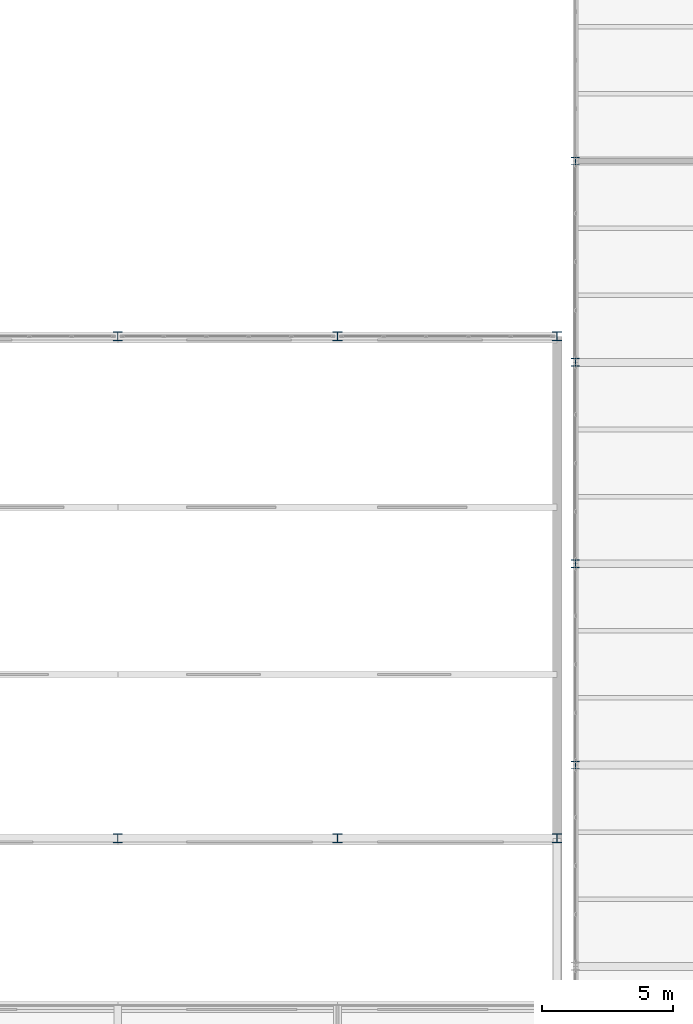
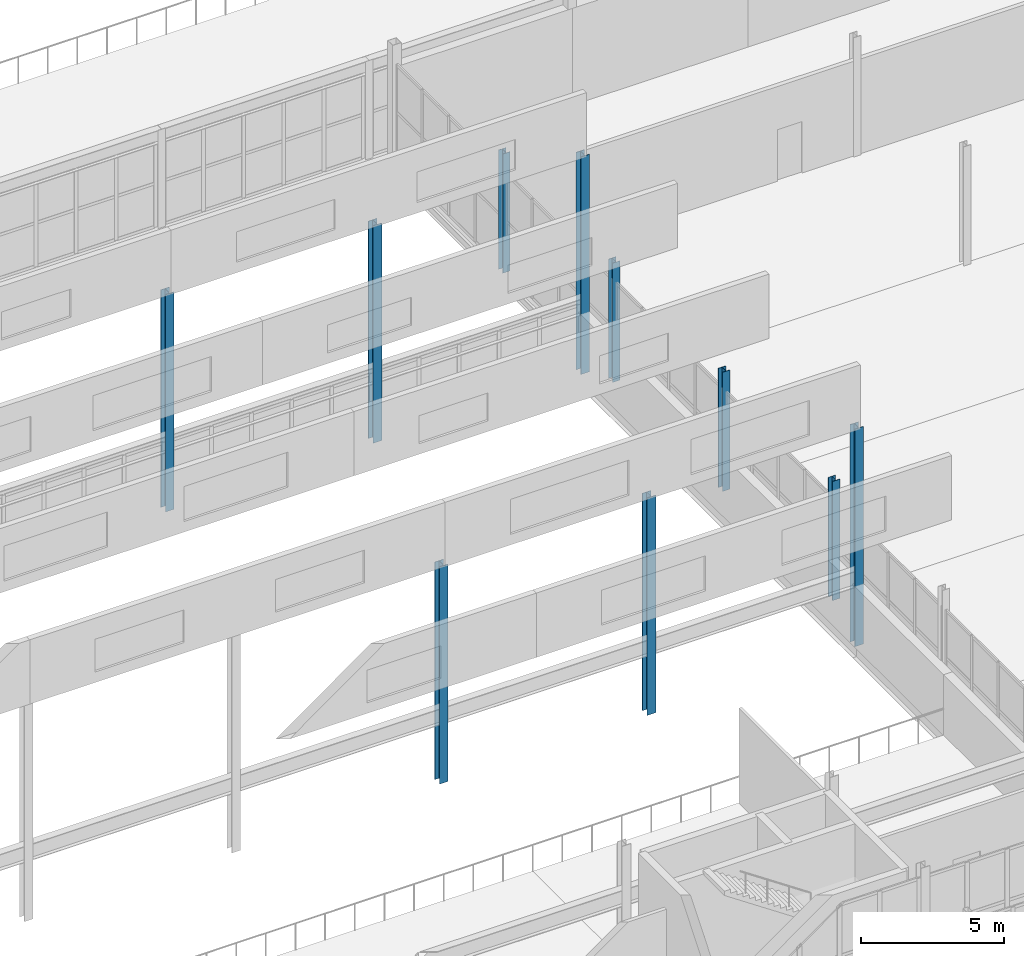
# One storey, part 21 of 218: 10 columns.
"""IFC4 building model written with IfcOpenShell, lengths in metres."""

from ifc_helpers import new_model, si_unit, direction, frame, origin, origin_2d, place, context, subcontext, project, spatial, i_section, extrude, material, material_profile, profile_set, type_object, element, save


model = new_model("IFC4")

# Units and contexts
model_context = context("Model", 3, precision=1e-05, world=origin(), true_north=direction((0.0, 1.0)))
body_context = subcontext(model_context, "Body", "Model", "MODEL_VIEW")
ifc_project = project(units=[si_unit("LENGTHUNIT", "METRE"), si_unit("AREAUNIT", "SQUARE_METRE"), si_unit("VOLUMEUNIT", "CUBIC_METRE"), si_unit("PLANEANGLEUNIT", "RADIAN"), si_unit("MASSUNIT", "GRAM", prefix="KILO")], contexts=[model_context])

# Site, building, storey
site_placement = place(None, origin())
site = spatial("IfcSite", under=ifc_project, at=site_placement, CompositionType="ELEMENT")
building_placement = place(site_placement, origin())
building = spatial("IfcBuilding", under=site, at=building_placement, Name="Kazenagashi Tramway Depot", CompositionType="ELEMENT")
storey_placement = place(building_placement, frame((0.0, 0.0, 6.0)))
storey = spatial("IfcBuildingStorey", under=building, at=storey_placement, Name="L02", CompositionType="ELEMENT", Elevation=6.0)

# Columns
ifc_material = material(Name="Steel SN490B", Category="steel")
ifc_material_profile_1 = material_profile(ifc_material, i_section(OverallWidth=0.35, OverallDepth=0.35, WebThickness=0.012, FlangeThickness=0.019, at=origin_2d()), Name="H-350x350x12x19")
ifc_profile_set_1 = profile_set([ifc_material_profile_1], Name="Steel SN490B")
column_type_1 = type_object("IfcColumnType", Name="C-04", PredefinedType="COLUMN", material=ifc_profile_set_1)
for number, where, z_axis, x_axis, name in (
    (1, (128.8, 35.7, 0.0), (0.0, 0.0, 1.0), (1.0, 0.0, 0.0), "Column C-04 COL-0325"),
    (2, (128.8, 54.9, 0.0), (0.0, 0.0, 1.0), (1.0, 0.0, 0.0), "Column C-04 COL-0328"),
    (3, (137.2, 35.7, 0.0), (0.0, 0.0, 1.0), (1.0, 0.0, 0.0), "Column C-04 COL-0342"),
    (4, (137.2, 54.9, 0.0), (0.0, 0.0, 1.0), (1.0, 0.0, 0.0), "Column C-04 COL-0345"),
    (5, (145.6, 35.7, 0.0), (0.0, 0.0, 1.0), (1.0, 0.0, 0.0), "Column C-04 COL-0359"),
    (6, (145.6, 54.9, 0.0), (0.0, 0.0, 1.0), (1.0, 0.0, 0.0), "Column C-04 COL-0362"),
):
    element("IfcColumn", number, at=place(storey_placement, frame(where, z_axis=z_axis, x_axis=x_axis)), inside=storey, type_object=column_type_1, Name=name, PredefinedType="COLUMN", context=body_context, shape_type="SweptSolid", body=[
        extrude(i_section(OverallWidth=0.35, OverallDepth=0.35, WebThickness=0.012, FlangeThickness=0.019, at=origin_2d()), origin(), (0.0, 0.0, 1.0), 9.3),
    ])
ifc_material_profile_2 = material_profile(ifc_material, i_section(OverallWidth=0.3, OverallDepth=0.3, WebThickness=0.01, FlangeThickness=0.015, at=origin_2d()), Name="H-300x300x10x15")
ifc_profile_set_2 = profile_set([ifc_material_profile_2], Name="Steel SN490B")
column_type_2 = type_object("IfcColumnType", Name="C-05", PredefinedType="COLUMN", material=ifc_profile_set_2)
for number, where, z_axis, x_axis, name in (
    (7, (146.3, 38.5, 0.0), (0.0, 0.0, 1.0), (1.0, 0.0, 0.0), "Column C-05 COL-0375"),
    (8, (146.3, 46.2, 0.0), (0.0, 0.0, 1.0), (1.0, 0.0, 0.0), "Column C-05 COL-0378"),
    (9, (146.3, 53.9, 0.0), (0.0, 0.0, 1.0), (1.0, 0.0, 0.0), "Column C-05 COL-0381"),
    (10, (146.3, 61.6, 0.0), (0.0, 0.0, 1.0), (1.0, 0.0, 0.0), "Column C-05 COL-0384"),
):
    element("IfcColumn", number, at=place(storey_placement, frame(where, z_axis=z_axis, x_axis=x_axis)), inside=storey, type_object=column_type_2, Name=name, PredefinedType="COLUMN", context=body_context, shape_type="SweptSolid", body=[
        extrude(i_section(OverallWidth=0.3, OverallDepth=0.3, WebThickness=0.01, FlangeThickness=0.015, at=origin_2d()), origin(), (0.0, 0.0, 1.0), 5.1),
    ])

save(model, "model.ifc")
